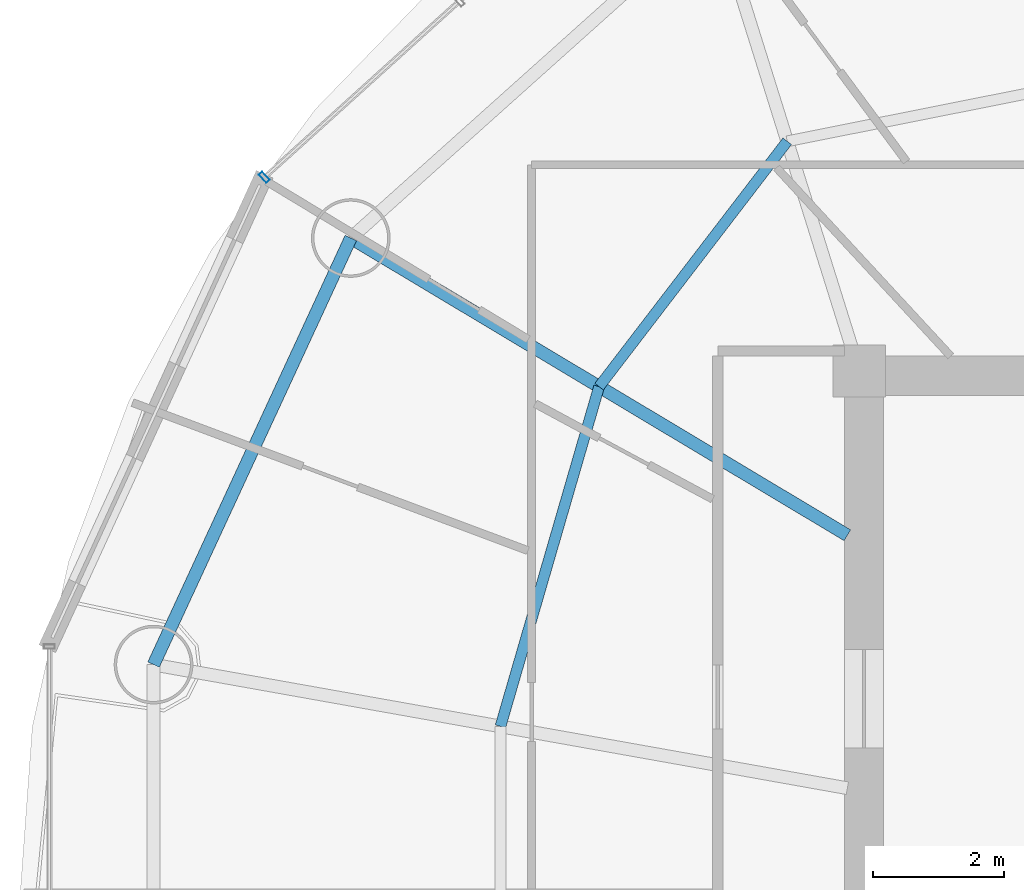
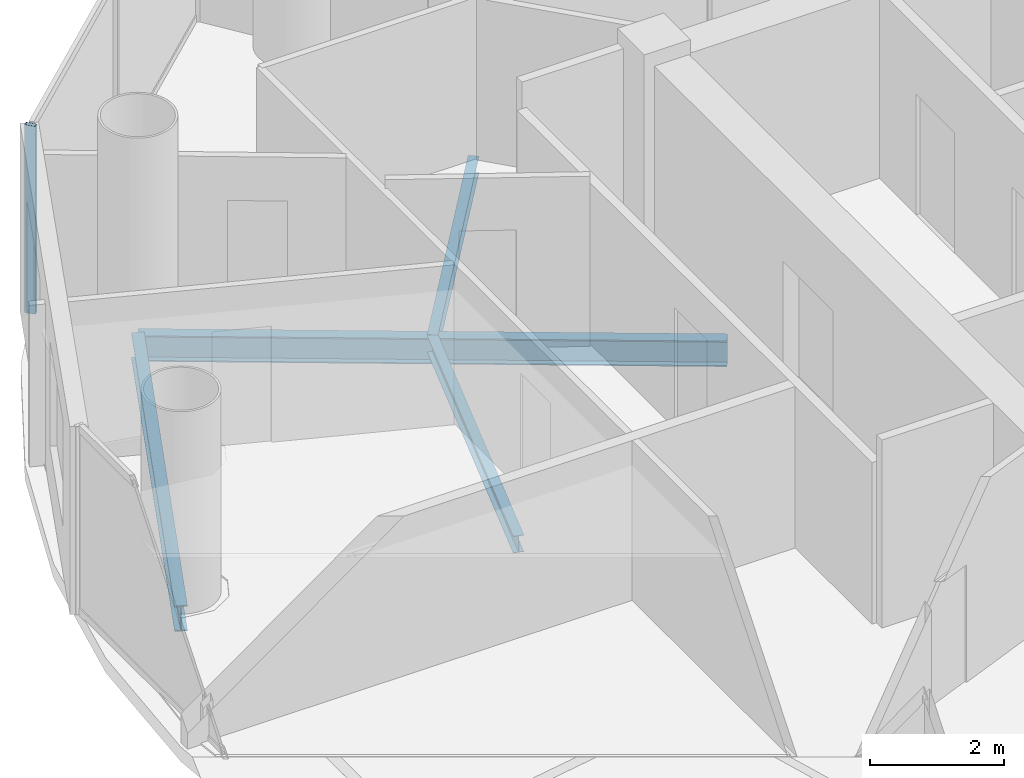
# One storey, part 8 of 26: 4 beams, 1 member, 1 element without a shape of its own.
"""IFC4 building model written with IfcOpenShell, lengths in metres."""

from ifc_helpers import new_model, si_unit, direction, frame, origin, origin_2d, place, context, subcontext, project, spatial, hollow_rectangle, i_section, extrude, source, transform, mapped, material, material_profile, profile_set, type_object, element, aggregate, save


model = new_model("IFC4")

# Units and contexts
model_context = context("Model", 3, precision=1e-05, world=origin(), true_north=direction((-0.2419218956, 0.970295726276)))
body_context = subcontext(model_context, "Body", "Model", "MODEL_VIEW")
ifc_project = project(units=[si_unit("LENGTHUNIT", "METRE"), si_unit("AREAUNIT", "SQUARE_METRE"), si_unit("VOLUMEUNIT", "CUBIC_METRE"), si_unit("PLANEANGLEUNIT", "RADIAN"), si_unit("MASSUNIT", "GRAM", prefix="KILO")], contexts=[model_context])

# Site, building, storey
site_placement = place(None, origin())
site = spatial("IfcSite", under=ifc_project, at=site_placement, CompositionType="ELEMENT")
building_placement = place(site_placement, origin())
building = spatial("IfcBuilding", under=site, at=building_placement, Name="Cobrevalo Terracotta Tower", CompositionType="ELEMENT")
storey_placement = place(building_placement, frame((0.0, 0.0, 213.39990234375)))
storey = spatial("IfcBuildingStorey", under=building, at=storey_placement, Name="L56", CompositionType="ELEMENT", Elevation=213.39990234375)

# Beams
ifc_material_1 = material(Name="Steel S355", Category="steel")
ifc_material_profile_1 = material_profile(ifc_material_1, i_section(OverallWidth=0.194091796875, OverallDepth=0.468994140625, WebThickness=0.011474609375, FlangeThickness=0.0205078125, at=origin_2d()), Name="W 460x106")
ifc_profile_set_1 = profile_set([ifc_material_profile_1], Name="Steel S355")
beam_type_1 = type_object("IfcBeamType", Name="Structural Beam W 460x106 (Steel S355)", PredefinedType="BEAM", material=ifc_profile_set_1)
beam_1_placement = place(storey_placement, frame((21.245849609375, 36.828125, -0.49951171875), z_axis=(0.858046392192, -0.513572184651, 0.0), x_axis=(0.513572184651, 0.858046392192, 0.0)))
element("IfcBeam", 1, at=beam_1_placement, inside=storey, type_object=beam_type_1, Name="L56 radial floor girder 07", PredefinedType="BEAM", context=body_context, shape_type="SweptSolid", body=[
    extrude(i_section(OverallWidth=0.194091796875, OverallDepth=0.468994140625, WebThickness=0.011474609375, FlangeThickness=0.0205078125, at=origin_2d()), origin(), (0.0, 0.0, 1.0), 8.827392578125),
])
ifc_material_profile_2 = material_profile(ifc_material_1, i_section(OverallWidth=0.1650390625, OverallDepth=0.31005859375, WebThickness=0.005859375, FlangeThickness=0.009765625, at=origin_2d()), Name="W 310x38.7")
ifc_profile_set_2 = profile_set([ifc_material_profile_2], Name="Steel S355")
beam_type_2 = type_object("IfcBeamType", Name="Structural Joist W 310x38.7 (Steel S355)", PredefinedType="JOIST", material=ifc_profile_set_2)
beam_2_placement = place(storey_placement, frame((27.902587890625, 38.303955078125, -0.419921875), z_axis=(-0.608464146296, -0.793581364872, 0.0), x_axis=(0.793581364872, -0.608464146296, 0.0)))
element("IfcBeam", 2, at=beam_2_placement, inside=storey, type_object=beam_type_2, Name="L56 circumferential secondary floor joist 06", PredefinedType="JOIST", context=body_context, shape_type="SweptSolid", body=[
    extrude(i_section(OverallWidth=0.1650390625, OverallDepth=0.31005859375, WebThickness=0.005859375, FlangeThickness=0.009765625, at=origin_2d()), origin(), (0.0, 0.0, 1.0), 4.716064453125),
])
beam_3_placement = place(storey_placement, frame((25.032958984375, 34.561279296875, -0.419921875), z_axis=(-0.278769817131, -0.960357948401, 0.0), x_axis=(0.960357948401, -0.278769817131, 0.0)))
element("IfcBeam", 3, at=beam_3_placement, inside=storey, type_object=beam_type_2, Name="L56 circumferential secondary floor joist 07", PredefinedType="JOIST", context=body_context, shape_type="SweptSolid", body=[
    extrude(i_section(OverallWidth=0.1650390625, OverallDepth=0.31005859375, WebThickness=0.005859375, FlangeThickness=0.009765625, at=origin_2d()), origin(), (0.0, 0.0, 1.0), 5.396484375),
])
ifc_material_profile_3 = material_profile(ifc_material_1, i_section(OverallWidth=0.194091796875, OverallDepth=0.468994140625, WebThickness=0.011474609375, FlangeThickness=0.0205078125, at=origin_2d()), Name="W 460x106")
ifc_profile_set_3 = profile_set([ifc_material_profile_3], Name="Steel S355")
beam_type_3 = type_object("IfcBeamType", Name="Structural Spandrel W 460x106 (Steel S355)", PredefinedType="SPANDREL", material=ifc_profile_set_3)
beam_4_placement = place(storey_placement, frame((21.245849609375, 36.828125, -0.49951171875), z_axis=(-0.419705965131, -0.907660125176, 0.0), x_axis=(0.907660125176, -0.419705965131, 0.0)))
element("IfcBeam", 4, at=beam_4_placement, inside=storey, type_object=beam_type_3, Name="L56 perimeter ring spandrel 07", PredefinedType="SPANDREL", context=body_context, shape_type="SweptSolid", body=[
    extrude(i_section(OverallWidth=0.194091796875, OverallDepth=0.468994140625, WebThickness=0.011474609375, FlangeThickness=0.0205078125, at=origin_2d()), origin(), (0.0, 0.0, 1.0), 7.168701171875),
])

# Curtain wall, member
ifc_material_2 = material(Name="Anodized aluminium", Category="aluminium")
curtain_wall_type = type_object("IfcCurtainWallType", Name="Mid-tower high-wind unitised curtain wall CW-U2", PredefinedType="NOTDEFINED", material=ifc_material_2)
curtain_wall_placement = place(storey_placement, origin())
curtain_wall = element("IfcCurtainWall", 5, at=curtain_wall_placement, inside=storey, type_object=curtain_wall_type, Name="L56 curtain wall CW-L56-S06", PredefinedType="NOTDEFINED")
ifc_material_profile_4 = material_profile(ifc_material_2, hollow_rectangle(XDim=0.070068359375, YDim=0.169921875, WallThickness=0.00439453125, at=origin_2d()), Name="CWM 70x170")
ifc_profile_set_4 = profile_set([ifc_material_profile_4], Name="Anodized aluminium")
member_type = type_object("IfcMemberType", Name="Upper tower unitised mullion 70x170", PredefinedType="MULLION", material=ifc_profile_set_4)
shared_shape = source(origin(), body_context, "Body", "SweptSolid", [
    extrude(hollow_rectangle(XDim=0.070068359375, YDim=0.169921875, WallThickness=0.00439453125, at=origin_2d()), origin(), (0.0, 0.0, 1.0), 3.43505859375),
])
member_placement = place(storey_placement, frame((19.928466796875, 37.7548828125, 0.0), z_axis=(0.0, 0.0, 1.0), x_axis=(-0.741987542015, -0.670413668935, 0.0)))
member = element("IfcMember", 6, at=member_placement, type_object=member_type, Name="CW-L56-S06 vertical mullion 03", PredefinedType="MULLION", context=body_context, shape_type="MappedRepresentation", body=[
    mapped(shared_shape, transform((0.0, 0.0, 0.0), scale=1.0)),
])
aggregate(curtain_wall, [member])

save(model, "model.ifc")
